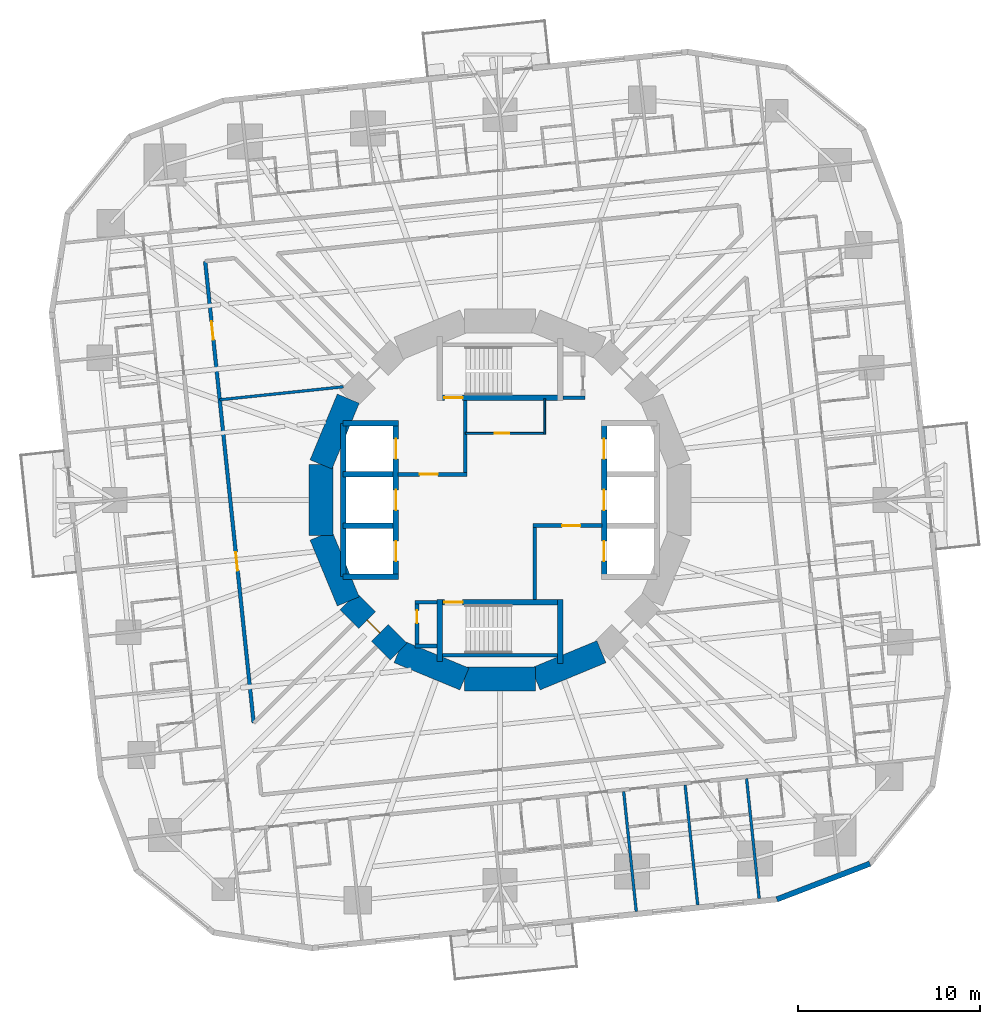
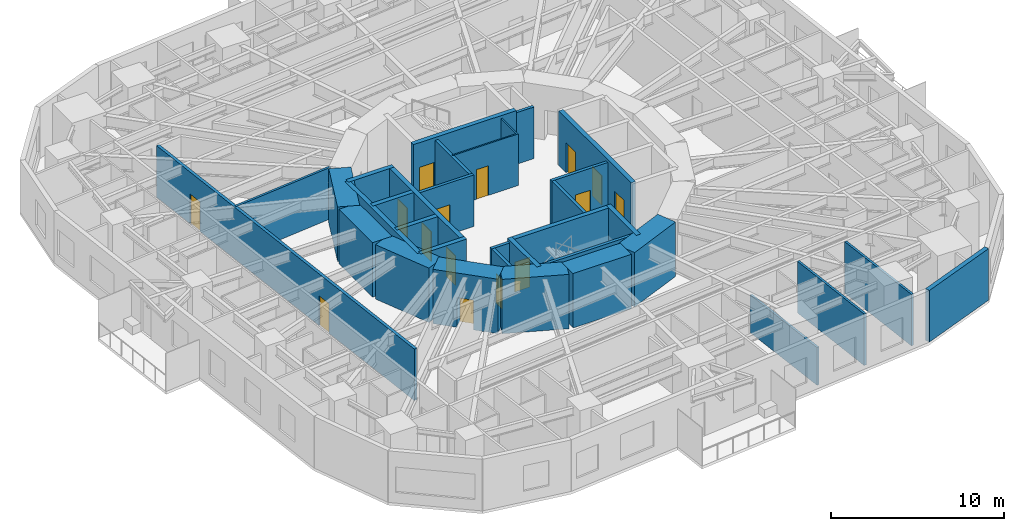
# One storey, part 7 of 15: 35 walls, 15 doors, 15 openings.
"""IFC4 building model written with IfcOpenShell, lengths in metres."""

import ifcopenshell
import ifcopenshell.guid

model = None  # the IFC model being written
_history = None  # IfcOwnerHistory: only IFC2X3 demands one
_inside = {}  # id of a spatial element -> (the spatial element, [elements in it])
_under = {}  # id of a project, library or spatial element -> (it, [spatial elements below it])
_declared = {}  # id of a project -> (the project, [libraries it declares])
_typed = {}  # id of a type object -> (the type object, [elements of that type])
_made_of = {}  # id of a material, layer set ... -> (it, [elements and type objects made of it])


def new_model(schema):
    """Start an empty IFC model of exactly this schema.

    Asked for "IFC4X3", IfcOpenShell would pick the latest addendum, in which some entities
    have other attributes; the version numbers below select the first issue.
    IFC2X3 requires an IfcOwnerHistory on every rooted entity: one is made here for all.
    """
    global model, _history
    if schema == "IFC4X3":
        model = ifcopenshell.file(schema_version=(4, 3, 0, 0))
    else:
        model = ifcopenshell.file(schema=schema)
    _inside.clear()
    _under.clear()
    _declared.clear()
    _typed.clear()
    _made_of.clear()
    _history = None
    if model.schema == "IFC2X3":
        org = make("IfcOrganization", Name="unknown")
        user = make(
            "IfcPersonAndOrganization",
            ThePerson=make("IfcPerson", FamilyName="unknown"),
            TheOrganization=org,
        )
        app = make(
            "IfcApplication",
            ApplicationDeveloper=org,
            Version="unknown",
            ApplicationFullName="unknown",
            ApplicationIdentifier="unknown",
        )
        _history = make(
            "IfcOwnerHistory",
            OwningUser=user,
            OwningApplication=app,
            ChangeAction="ADDED",
            CreationDate=0,
        )
    return model


def make(cls, **values):
    """One entity of the class cls with the attributes given. An attribute that is None is left unset."""
    return model.create_entity(
        cls, **{name: value for name, value in values.items() if value is not None}
    )


def rooted(cls, **values):
    """An entity with a GlobalId (a new one), such as an element, a storey or a relation."""
    return make(cls, GlobalId=ifcopenshell.guid.new(), OwnerHistory=_history, **values)


def si_unit(unit_type, name, prefix=None):
    """IfcSIUnit, for example si_unit("LENGTHUNIT", "METRE", prefix="MILLI")."""
    return make("IfcSIUnit", UnitType=unit_type, Prefix=prefix, Name=name)


def assignment(units):
    """IfcUnitAssignment: the units of a project."""
    return None if units is None else make("IfcUnitAssignment", Units=units)


def point(xyz):
    """IfcCartesianPoint."""
    return None if xyz is None else make("IfcCartesianPoint", Coordinates=xyz)


def direction(xyz):
    """IfcDirection."""
    return None if xyz is None else make("IfcDirection", DirectionRatios=xyz)


def frame(location, z_axis=None, x_axis=None):
    """IfcAxis2Placement3D, a coordinate frame: its origin and axes. An axis left out is left unset."""
    return make(
        "IfcAxis2Placement3D",
        Location=point(location),
        Axis=direction(z_axis),
        RefDirection=direction(x_axis),
    )


def frame_2d(location, x_axis=None):
    """IfcAxis2Placement2D, a coordinate frame in the plane: its origin and x axis."""
    return make(
        "IfcAxis2Placement2D", Location=point(location), RefDirection=direction(x_axis)
    )


def origin():
    """The frame at (0, 0, 0) with its axes left unset."""
    return frame((0.0, 0.0, 0.0))


def place(relative_to, where):
    """IfcLocalPlacement: puts the frame where relative to a parent placement (None: the world)."""
    return make(
        "IfcLocalPlacement", PlacementRelTo=relative_to, RelativePlacement=where
    )


def context(
    kind, dimensions, precision=None, world=None, true_north=None, identifier=None
):
    """IfcGeometricRepresentationContext, for example the 3D "Model" context."""
    return make(
        "IfcGeometricRepresentationContext",
        ContextIdentifier=identifier,
        ContextType=kind,
        CoordinateSpaceDimension=dimensions,
        Precision=precision,
        WorldCoordinateSystem=world,
        TrueNorth=true_north,
    )


def subcontext(parent, identifier, kind, view, scale=None):
    """IfcGeometricRepresentationSubContext, for example "Body" below "Model"."""
    return make(
        "IfcGeometricRepresentationSubContext",
        ContextIdentifier=identifier,
        ContextType=kind,
        ParentContext=parent,
        TargetScale=scale,
        TargetView=view,
    )


def project(units=None, contexts=None):
    """IfcProject with its units and contexts."""
    return rooted(
        "IfcProject",
        Name="project",
        RepresentationContexts=contexts,
        UnitsInContext=assignment(units),
    )


def spatial(cls, under=None, at=None, **own):
    """A site, building, storey or space (cls), placed at a placement, below another one or the project."""
    s = rooted(cls, ObjectPlacement=at, **own)
    if under is not None:
        _under.setdefault(under.id(), (under, []))[1].append(s)
    return s


def profile(cls, at=None, kind="AREA", **sizes):
    """A parametric profile (cls). Its sizes go by their IFC names, for example OverallWidth=200.0."""
    return make(cls, ProfileType=kind, Position=at, **sizes)


def rectangle(**sizes):
    """IfcRectangleProfileDef."""
    return profile("IfcRectangleProfileDef", **sizes)


def extrude(swept, where, along, depth):
    """IfcExtrudedAreaSolid: the profile swept, set in the frame where, extruded along a direction by depth."""
    return make(
        "IfcExtrudedAreaSolid",
        SweptArea=swept,
        Position=where,
        ExtrudedDirection=direction(along),
        Depth=depth,
    )


def shape(context_of_items, identifier, shape_type, items):
    """IfcShapeRepresentation: the items that make up one representation, for example the "Body"."""
    return make(
        "IfcShapeRepresentation",
        ContextOfItems=context_of_items,
        RepresentationIdentifier=identifier,
        RepresentationType=shape_type,
        Items=items,
    )


def material(Name=None, Category=None):
    """IfcMaterial."""
    return make("IfcMaterial", Name=Name, Category=Category)


def layer(
    of_material, thickness, ventilated=None, Name=None, Category=None, Priority=None
):
    """IfcMaterialLayer: one layer of a wall or slab, of a material (None: an air gap)."""
    return make(
        "IfcMaterialLayer",
        Material=of_material,
        LayerThickness=thickness,
        IsVentilated=ventilated,
        Name=Name,
        Category=Category,
        Priority=Priority,
    )


def layer_set(layers, Name=None):
    """IfcMaterialLayerSet."""
    return make("IfcMaterialLayerSet", MaterialLayers=layers, LayerSetName=Name)


def made_of(thing, what):
    """Note that an element or type object is made of a material, layer set ...; save() writes the relation."""
    if what is not None:
        _made_of.setdefault(what.id(), (what, []))[1].append(thing)
    return thing


def type_object(cls, material=None, **own):
    """A type object (cls), such as IfcWallType, which elements share."""
    return made_of(rooted(cls, **own), material)


def element(
    cls,
    number,
    at=None,
    inside=None,
    cuts=None,
    type_object=None,
    material=None,
    context=None,
    identifier="Body",
    shape_type=None,
    held_by="IfcProductDefinitionShape",
    body=None,
    shapes=None,
    **own,
):
    """One element of the class cls, such as IfcWall. Its Tag is "e" and its number.

    at: its placement. inside: the storey or other place that contains it. cuts: it is an
    opening in that element (IfcRelVoidsElement). A single representation is given by context,
    identifier, shape_type and body (its items); several are given by shapes. held_by: the class
    of the entity that holds the representations. save() writes the other relations.
    """
    e = rooted(cls, Tag="e%d" % number, ObjectPlacement=at, **own)
    if body is not None:
        shapes = [shape(context, identifier, shape_type, body)]
    if shapes is not None:
        e.Representation = make(held_by, Representations=shapes)
    if inside is not None:
        _inside.setdefault(inside.id(), (inside, []))[1].append(e)
    if cuts is not None:
        rooted(
            "IfcRelVoidsElement", RelatingBuildingElement=cuts, RelatedOpeningElement=e
        )
    if type_object is not None:
        _typed.setdefault(type_object.id(), (type_object, []))[1].append(e)
    return made_of(e, material)


def fill(opening, filler):
    """IfcRelFillsElement: the door or window that sits in an opening."""
    return rooted(
        "IfcRelFillsElement",
        RelatingOpeningElement=opening,
        RelatedBuildingElement=filler,
    )


def aggregate(whole, parts):
    """IfcRelAggregates: a whole, such as a stair, and the parts it consists of."""
    return rooted("IfcRelAggregates", RelatingObject=whole, RelatedObjects=parts)


def save(model, path):
    """Write the relations noted so far, then the file.

    IfcRelAggregates (storeys below a building ...), IfcRelContainedInSpatialStructure (elements
    in a storey), IfcRelDefinesByType, IfcRelAssociatesMaterial and IfcRelDeclares: one each for
    every whole, place, type object, material and project.
    """
    for whole, parts in _under.values():
        aggregate(whole, parts)
    for where, things in _inside.values():
        rooted(
            "IfcRelContainedInSpatialStructure",
            RelatedElements=things,
            RelatingStructure=where,
        )
    for kind, things in _typed.values():
        rooted("IfcRelDefinesByType", RelatedObjects=things, RelatingType=kind)
    for what, things in _made_of.values():
        rooted("IfcRelAssociatesMaterial", RelatedObjects=things, RelatingMaterial=what)
    for by, libraries in _declared.values():
        rooted("IfcRelDeclares", RelatingContext=by, RelatedDefinitions=libraries)
    model.write(path)


model = new_model("IFC4")

# Units and contexts
model_context = context("Model", 3, precision=1e-05, world=origin(), true_north=direction((0.0, 1.0)))
body_context = subcontext(model_context, "Body", "Model", "MODEL_VIEW")
ifc_project = project(units=[si_unit("LENGTHUNIT", "METRE"), si_unit("AREAUNIT", "SQUARE_METRE"), si_unit("VOLUMEUNIT", "CUBIC_METRE"), si_unit("PLANEANGLEUNIT", "RADIAN"), si_unit("MASSUNIT", "GRAM", prefix="KILO")], contexts=[model_context])

# Site, building, storey
site_placement = place(None, origin())
site = spatial("IfcSite", under=ifc_project, at=site_placement, CompositionType="ELEMENT")
building_placement = place(site_placement, origin())
building = spatial("IfcBuilding", under=site, at=building_placement, Name="Nakasero Lantern House", CompositionType="ELEMENT")
storey_placement = place(building_placement, frame((0.0, 0.0, 68.199951171875)))
storey = spatial("IfcBuildingStorey", under=building, at=storey_placement, Name="L16", CompositionType="ELEMENT", Elevation=68.199951171875)

# Wall, openings, doors
ifc_material_1 = material(Name="Concrete C50/60", Category="concrete")
ifc_layer_1 = layer(ifc_material_1, 0.300048828125)
ifc_layer_set_1 = layer_set([ifc_layer_1], Name="Core inner wall 300")
wall_type_1 = type_object("IfcWallType", Name="Core inner wall 300", PredefinedType="SHEAR", material=ifc_layer_set_1)
wall_1_placement = place(storey_placement, frame((-5.699951171875, -4.199951171875, 0.0), z_axis=(0.0, 0.0, 1.0), x_axis=(0.0, 1.0, 0.0)))
wall_1 = element("IfcWall", 1, at=wall_1_placement, inside=storey, type_object=wall_type_1, Name="Core inner wall L16 LW", PredefinedType="SHEAR", context=body_context, shape_type="SweptSolid", body=[
    extrude(rectangle(XDim=8.39990234375, YDim=0.300048828125, at=frame_2d((4.199951171875, 0.0))), origin(), (0.0, 0.0, 1.0), 3.85009765625),
])
opening_1_placement = place(wall_1_placement, frame((0.85009765625, 0.0, 0.0)))
opening_1 = element("IfcOpeningElement", 2, at=opening_1_placement, cuts=wall_1, Name="Opening LD", PredefinedType="OPENING", context=body_context, shape_type="SweptSolid", body=[
    extrude(rectangle(XDim=1.10009765625, YDim=2.10009765625, at=frame_2d((0.550048828125, 1.050048828125))), frame((0.0, 0.169921875, 0.0), z_axis=(0.0, -1.0, 0.0), x_axis=(1.0, 0.0, 0.0)), (0.0, 0.0, 1.0), 0.340087890625),
])
opening_2_placement = place(wall_1_placement, frame((3.64990234375, 0.0, 0.0)))
opening_2 = element("IfcOpeningElement", 3, at=opening_2_placement, cuts=wall_1, Name="Opening LD", PredefinedType="OPENING", context=body_context, shape_type="SweptSolid", body=[
    extrude(rectangle(XDim=1.10009765625, YDim=2.10009765625, at=frame_2d((0.550048828125, 1.050048828125))), frame((0.0, 0.169921875, 0.0), z_axis=(0.0, -1.0, 0.0), x_axis=(1.0, 0.0, 0.0)), (0.0, 0.0, 1.0), 0.340087890625),
])
opening_3_placement = place(wall_1_placement, frame((6.449951171875, 0.0, 0.0)))
opening_3 = element("IfcOpeningElement", 4, at=opening_3_placement, cuts=wall_1, Name="Opening LD", PredefinedType="OPENING", context=body_context, shape_type="SweptSolid", body=[
    extrude(rectangle(XDim=1.10009765625, YDim=2.10009765625, at=frame_2d((0.550048828125, 1.050048828125))), frame((0.0, 0.169921875, 0.0), z_axis=(0.0, -1.0, 0.0), x_axis=(1.0, 0.0, 0.0)), (0.0, 0.0, 1.0), 0.340087890625),
])
ifc_material_2 = material(Name="Steel S355", Category="steel")
door_type_1 = type_object("IfcDoorType", Name="Lift landing door E120 1100", OperationType="SLIDING_TO_LEFT", PredefinedType="DOOR", material=ifc_material_2)
door_1_placement = place(opening_1_placement, origin())
door_1 = element("IfcDoor", 5, at=door_1_placement, inside=storey, type_object=door_type_1, Name="Lift landing door LW1", OperationType="SLIDING_TO_LEFT", OverallHeight=2.10009765625, OverallWidth=1.10009765625, PredefinedType="DOOR", context=body_context, shape_type="SweptSolid", body=[
    extrude(rectangle(XDim=1.10009765625, YDim=2.10009765625, at=frame_2d((0.550048828125, 1.050048828125))), frame((0.0, 0.02490234375, 0.0), z_axis=(0.0, -1.0, 0.0), x_axis=(1.0, 0.0, 0.0)), (0.0, 0.0, 1.0), 0.050048828125),
])
fill(opening_1, door_1)
door_2_placement = place(opening_2_placement, origin())
door_2 = element("IfcDoor", 6, at=door_2_placement, inside=storey, type_object=door_type_1, Name="Lift landing door LW2", OperationType="SLIDING_TO_LEFT", OverallHeight=2.10009765625, OverallWidth=1.10009765625, PredefinedType="DOOR", context=body_context, shape_type="SweptSolid", body=[
    extrude(rectangle(XDim=1.10009765625, YDim=2.10009765625, at=frame_2d((0.550048828125, 1.050048828125))), frame((0.0, 0.02490234375, 0.0), z_axis=(0.0, -1.0, 0.0), x_axis=(1.0, 0.0, 0.0)), (0.0, 0.0, 1.0), 0.050048828125),
])
fill(opening_2, door_2)
door_3_placement = place(opening_3_placement, origin())
door_3 = element("IfcDoor", 7, at=door_3_placement, inside=storey, type_object=door_type_1, Name="Lift landing door LW3", OperationType="SLIDING_TO_LEFT", OverallHeight=2.10009765625, OverallWidth=1.10009765625, PredefinedType="DOOR", context=body_context, shape_type="SweptSolid", body=[
    extrude(rectangle(XDim=1.10009765625, YDim=2.10009765625, at=frame_2d((0.550048828125, 1.050048828125))), frame((0.0, 0.02490234375, 0.0), z_axis=(0.0, -1.0, 0.0), x_axis=(1.0, 0.0, 0.0)), (0.0, 0.0, 1.0), 0.050048828125),
])
fill(opening_3, door_3)

wall_2_placement = place(storey_placement, frame((5.699951171875, -4.199951171875, 0.0), z_axis=(0.0, 0.0, 1.0), x_axis=(0.0, 1.0, 0.0)))
wall_2 = element("IfcWall", 8, at=wall_2_placement, inside=storey, type_object=wall_type_1, Name="Core inner wall L16 LE", PredefinedType="SHEAR", context=body_context, shape_type="SweptSolid", body=[
    extrude(rectangle(XDim=8.39990234375, YDim=0.300048828125, at=frame_2d((4.199951171875, 0.0))), origin(), (0.0, 0.0, 1.0), 3.85009765625),
])
opening_4_placement = place(wall_2_placement, frame((0.85009765625, 0.0, 0.0)))
opening_4 = element("IfcOpeningElement", 9, at=opening_4_placement, cuts=wall_2, Name="Opening LD", PredefinedType="OPENING", context=body_context, shape_type="SweptSolid", body=[
    extrude(rectangle(XDim=1.10009765625, YDim=2.10009765625, at=frame_2d((0.550048828125, 1.050048828125))), frame((0.0, 0.169921875, 0.0), z_axis=(0.0, -1.0, 0.0), x_axis=(1.0, 0.0, 0.0)), (0.0, 0.0, 1.0), 0.340087890625),
])
opening_5_placement = place(wall_2_placement, frame((3.64990234375, 0.0, 0.0)))
opening_5 = element("IfcOpeningElement", 10, at=opening_5_placement, cuts=wall_2, Name="Opening LD", PredefinedType="OPENING", context=body_context, shape_type="SweptSolid", body=[
    extrude(rectangle(XDim=1.10009765625, YDim=2.10009765625, at=frame_2d((0.550048828125, 1.050048828125))), frame((0.0, 0.169921875, 0.0), z_axis=(0.0, -1.0, 0.0), x_axis=(1.0, 0.0, 0.0)), (0.0, 0.0, 1.0), 0.340087890625),
])
opening_6_placement = place(wall_2_placement, frame((6.449951171875, 0.0, 0.0)))
opening_6 = element("IfcOpeningElement", 11, at=opening_6_placement, cuts=wall_2, Name="Opening LD", PredefinedType="OPENING", context=body_context, shape_type="SweptSolid", body=[
    extrude(rectangle(XDim=1.10009765625, YDim=2.10009765625, at=frame_2d((0.550048828125, 1.050048828125))), frame((0.0, 0.169921875, 0.0), z_axis=(0.0, -1.0, 0.0), x_axis=(1.0, 0.0, 0.0)), (0.0, 0.0, 1.0), 0.340087890625),
])
door_4_placement = place(opening_4_placement, origin())
door_4 = element("IfcDoor", 12, at=door_4_placement, inside=storey, type_object=door_type_1, Name="Lift landing door LE1", OperationType="SLIDING_TO_LEFT", OverallHeight=2.10009765625, OverallWidth=1.10009765625, PredefinedType="DOOR", context=body_context, shape_type="SweptSolid", body=[
    extrude(rectangle(XDim=1.10009765625, YDim=2.10009765625, at=frame_2d((0.550048828125, 1.050048828125))), frame((0.0, 0.02490234375, 0.0), z_axis=(0.0, -1.0, 0.0), x_axis=(1.0, 0.0, 0.0)), (0.0, 0.0, 1.0), 0.050048828125),
])
fill(opening_4, door_4)
door_5_placement = place(opening_5_placement, origin())
door_5 = element("IfcDoor", 13, at=door_5_placement, inside=storey, type_object=door_type_1, Name="Lift landing door LE2", OperationType="SLIDING_TO_LEFT", OverallHeight=2.10009765625, OverallWidth=1.10009765625, PredefinedType="DOOR", context=body_context, shape_type="SweptSolid", body=[
    extrude(rectangle(XDim=1.10009765625, YDim=2.10009765625, at=frame_2d((0.550048828125, 1.050048828125))), frame((0.0, 0.02490234375, 0.0), z_axis=(0.0, -1.0, 0.0), x_axis=(1.0, 0.0, 0.0)), (0.0, 0.0, 1.0), 0.050048828125),
])
fill(opening_5, door_5)
door_6_placement = place(opening_6_placement, origin())
door_6 = element("IfcDoor", 14, at=door_6_placement, inside=storey, type_object=door_type_1, Name="Lift landing door LE3", OperationType="SLIDING_TO_LEFT", OverallHeight=2.10009765625, OverallWidth=1.10009765625, PredefinedType="DOOR", context=body_context, shape_type="SweptSolid", body=[
    extrude(rectangle(XDim=1.10009765625, YDim=2.10009765625, at=frame_2d((0.550048828125, 1.050048828125))), frame((0.0, 0.02490234375, 0.0), z_axis=(0.0, -1.0, 0.0), x_axis=(1.0, 0.0, 0.0)), (0.0, 0.0, 1.0), 0.050048828125),
])
fill(opening_6, door_6)

# Walls
for number, where, z_axis, x_axis, name in (
    (15, (-8.60009765625, 4.199951171875, 0.0), (0.0, 0.0, 1.0), (1.0, 0.0, 0.0), "Core inner wall L16 LWN"),
    (16, (-8.60009765625, -4.199951171875, 0.0), (0.0, 0.0, 1.0), (1.0, 0.0, 0.0), "Core inner wall L16 LWS"),
):
    element("IfcWall", number, at=place(storey_placement, frame(where, z_axis=z_axis, x_axis=x_axis)), inside=storey, type_object=wall_type_1, Name=name, PredefinedType="SHEAR", context=body_context, shape_type="SweptSolid", body=[
        extrude(rectangle(XDim=3.050048828125, YDim=0.300048828125, at=frame_2d((1.52490234375, 0.0))), origin(), (0.0, 0.0, 1.0), 3.85009765625),
    ])
wall_3_placement = place(storey_placement, frame((-8.60009765625, -4.199951171875, 0.0), z_axis=(0.0, 0.0, 1.0), x_axis=(0.0, 1.0, 0.0)))
element("IfcWall", 17, at=wall_3_placement, inside=storey, type_object=wall_type_1, Name="Core inner wall L16 LWB", PredefinedType="SHEAR", context=body_context, shape_type="SweptSolid", body=[
    extrude(rectangle(XDim=8.39990234375, YDim=0.300048828125, at=frame_2d((4.199951171875, 0.0))), origin(), (0.0, 0.0, 1.0), 3.85009765625),
])
for number, where, z_axis, x_axis, name in (
    (18, (-8.60009765625, -1.39990234375, 0.0), (0.0, 0.0, 1.0), (1.0, 0.0, 0.0), "Core inner wall L16 LW1"),
    (19, (-8.60009765625, 1.39990234375, 0.0), (0.0, 0.0, 1.0), (1.0, 0.0, 0.0), "Core inner wall L16 LW2"),
):
    element("IfcWall", number, at=place(storey_placement, frame(where, z_axis=z_axis, x_axis=x_axis)), inside=storey, type_object=wall_type_1, Name=name, PredefinedType="SHEAR", context=body_context, shape_type="SweptSolid", body=[
        extrude(rectangle(XDim=2.75, YDim=0.300048828125, at=frame_2d((1.375, 0.0))), origin(), (0.0, 0.0, 1.0), 3.85009765625),
    ])

# Wall, opening, door
wall_4_placement = place(storey_placement, frame((-3.449951171875, 5.60009765625, 0.0), z_axis=(0.0, 0.0, 1.0), x_axis=(1.0, 0.0, 0.0)))
wall_4 = element("IfcWall", 20, at=wall_4_placement, inside=storey, type_object=wall_type_1, Name="Core inner wall L16 SN", PredefinedType="SHEAR", context=body_context, shape_type="SweptSolid", body=[
    extrude(rectangle(XDim=6.89990234375, YDim=0.300048828125, at=frame_2d((3.449951171875, 0.0))), origin(), (0.0, 0.0, 1.0), 3.85009765625),
])
opening_7_placement = place(wall_4_placement, frame((0.39990234375, 0.0, 0.0)))
opening_7 = element("IfcOpeningElement", 21, at=opening_7_placement, cuts=wall_4, Name="Opening D05", PredefinedType="OPENING", context=body_context, shape_type="SweptSolid", body=[
    extrude(rectangle(XDim=1.0, YDim=2.10009765625, at=frame_2d((0.5, 1.050048828125))), frame((0.0, 0.169921875, 0.0), z_axis=(0.0, -1.0, 0.0), x_axis=(1.0, 0.0, 0.0)), (0.0, 0.0, 1.0), 0.340087890625),
])
ifc_material_3 = material(Name="Timber C24", Category="wood")
door_type_2 = type_object("IfcDoorType", Name="Core door FD60S 1000", OperationType="SINGLE_SWING_LEFT", PredefinedType="DOOR", material=ifc_material_3)
door_7_placement = place(opening_7_placement, origin())
door_7 = element("IfcDoor", 22, at=door_7_placement, inside=storey, type_object=door_type_2, Name="Door L16 D-ST1", OperationType="SINGLE_SWING_LEFT", OverallHeight=2.10009765625, OverallWidth=1.0, PredefinedType="DOOR", context=body_context, shape_type="SweptSolid", body=[
    extrude(rectangle(XDim=1.0, YDim=2.10009765625, at=frame_2d((0.5, 1.050048828125))), frame((0.0, 0.02490234375, 0.0), z_axis=(0.0, -1.0, 0.0), x_axis=(1.0, 0.0, 0.0)), (0.0, 0.0, 1.0), 0.050048828125),
])
fill(opening_7, door_7)

wall_5_placement = place(storey_placement, frame((-3.449951171875, -5.60009765625, 0.0), z_axis=(0.0, 0.0, 1.0), x_axis=(1.0, 0.0, 0.0)))
wall_5 = element("IfcWall", 23, at=wall_5_placement, inside=storey, type_object=wall_type_1, Name="Core inner wall L16 SS", PredefinedType="SHEAR", context=body_context, shape_type="SweptSolid", body=[
    extrude(rectangle(XDim=6.89990234375, YDim=0.300048828125, at=frame_2d((3.449951171875, 0.0))), origin(), (0.0, 0.0, 1.0), 3.85009765625),
])
opening_8_placement = place(wall_5_placement, frame((0.39990234375, 0.0, 0.0)))
opening_8 = element("IfcOpeningElement", 24, at=opening_8_placement, cuts=wall_5, Name="Opening D05", PredefinedType="OPENING", context=body_context, shape_type="SweptSolid", body=[
    extrude(rectangle(XDim=1.0, YDim=2.10009765625, at=frame_2d((0.5, 1.050048828125))), frame((0.0, 0.169921875, 0.0), z_axis=(0.0, -1.0, 0.0), x_axis=(1.0, 0.0, 0.0)), (0.0, 0.0, 1.0), 0.340087890625),
])
door_8_placement = place(opening_8_placement, origin())
door_8 = element("IfcDoor", 25, at=door_8_placement, inside=storey, type_object=door_type_2, Name="Door L16 D-ST2", OperationType="SINGLE_SWING_LEFT", OverallHeight=2.10009765625, OverallWidth=1.0, PredefinedType="DOOR", context=body_context, shape_type="SweptSolid", body=[
    extrude(rectangle(XDim=1.0, YDim=2.10009765625, at=frame_2d((0.5, 1.050048828125))), frame((0.0, 0.02490234375, 0.0), z_axis=(0.0, -1.0, 0.0), x_axis=(1.0, 0.0, 0.0)), (0.0, 0.0, 1.0), 0.050048828125),
])
fill(opening_8, door_8)

# Walls
wall_6_placement = place(storey_placement, frame((-3.300048828125, -5.449951171875, 0.0), z_axis=(0.0, 0.0, 1.0), x_axis=(0.0, -1.0, 0.0)))
element("IfcWall", 26, at=wall_6_placement, inside=storey, type_object=wall_type_1, Name="Core inner wall L16 SSW", PredefinedType="SHEAR", context=body_context, shape_type="SweptSolid", body=[
    extrude(rectangle(XDim=3.400146484375, YDim=0.300048828125, at=frame_2d((1.7001953125, 0.0))), origin(), (0.0, 0.0, 1.0), 3.85009765625),
])
wall_7_placement = place(storey_placement, frame((3.300048828125, -5.449951171875, 0.0), z_axis=(0.0, 0.0, 1.0), x_axis=(0.0, -1.0, 0.0)))
element("IfcWall", 27, at=wall_7_placement, inside=storey, type_object=wall_type_1, Name="Core inner wall L16 SSE", PredefinedType="SHEAR", context=body_context, shape_type="SweptSolid", body=[
    extrude(rectangle(XDim=3.5, YDim=0.300048828125, at=frame_2d((1.75, 0.0))), origin(), (0.0, 0.0, 1.0), 3.85009765625),
])

# Wall, opening, door
ifc_material_4 = material(Name="Blockwork", Category="masonry")
ifc_layer_2 = layer(ifc_material_4, 0.10009765625)
ifc_layer_set_2 = layer_set([ifc_layer_2], Name="Core room wall 100")
wall_type_2 = type_object("IfcWallType", Name="Core room wall 100", PredefinedType="PARTITIONING", material=ifc_layer_set_2)
wall_8_placement = place(storey_placement, frame((-1.89990234375, 3.64990234375, 0.0), z_axis=(0.0, 0.0, 1.0), x_axis=(1.0, 0.0, 0.0)))
wall_8 = element("IfcWall", 28, at=wall_8_placement, inside=storey, type_object=wall_type_2, Name="Core room wall L16 CR-NES", PredefinedType="PARTITIONING", context=body_context, shape_type="SweptSolid", body=[
    extrude(rectangle(XDim=4.39990234375, YDim=0.10009765625, at=frame_2d((2.199951171875, 0.0))), origin(), (0.0, 0.0, 1.0), 3.650146484375),
])
opening_9_placement = place(wall_8_placement, frame((1.60009765625, 0.0, 0.0)))
opening_9 = element("IfcOpeningElement", 29, at=opening_9_placement, cuts=wall_8, Name="Opening D15", PredefinedType="OPENING", context=body_context, shape_type="SweptSolid", body=[
    extrude(rectangle(XDim=0.800048828125, YDim=2.10009765625, at=frame_2d((0.39990234375, 1.050048828125))), frame((0.0, 0.070068359375, 0.0), z_axis=(0.0, -1.0, 0.0), x_axis=(1.0, 0.0, 0.0)), (0.0, 0.0, 1.0), 0.14013671875),
])
ifc_material_5 = material(Name="Timber C24", Category="wood")
door_type_3 = type_object("IfcDoorType", Name="Cleaner's store door FD30S 800", OperationType="SINGLE_SWING_LEFT", PredefinedType="DOOR", material=ifc_material_5)
door_9_placement = place(opening_9_placement, origin())
door_9 = element("IfcDoor", 30, at=door_9_placement, inside=storey, type_object=door_type_3, Name="Door L16 D-CR-NE", OperationType="SINGLE_SWING_LEFT", OverallHeight=2.10009765625, OverallWidth=0.800048828125, PredefinedType="DOOR", context=body_context, shape_type="SweptSolid", body=[
    extrude(rectangle(XDim=0.800048828125, YDim=2.10009765625, at=frame_2d((0.39990234375, 1.050048828125))), frame((0.0, 0.02490234375, 0.0), z_axis=(0.0, -1.0, 0.0), x_axis=(1.0, 0.0, 0.0)), (0.0, 0.0, 1.0), 0.050048828125),
])
fill(opening_9, door_9)

# Walls
wall_9_placement = place(storey_placement, frame((2.449951171875, 3.60009765625, 0.0), z_axis=(0.0, 0.0, 1.0), x_axis=(0.0, 1.0, 0.0)))
element("IfcWall", 31, at=wall_9_placement, inside=storey, type_object=wall_type_2, Name="Core room wall L16 CR-NEE", PredefinedType="PARTITIONING", context=body_context, shape_type="SweptSolid", body=[
    extrude(rectangle(XDim=1.949951171875, YDim=0.10009765625, at=frame_2d((0.97509765625, 0.0))), origin(), (0.0, 0.0, 1.0), 3.650146484375),
])
ifc_material_6 = material(Name="Concrete C50/60", Category="concrete")
ifc_layer_3 = layer(ifc_material_6, 1.300048828125)
ifc_layer_set_3 = layer_set([ifc_layer_3], Name="Core wall 1300")
wall_type_3 = type_object("IfcWallType", Name="Core wall 1300", PredefinedType="SHEAR", material=ifc_layer_set_3)
for number, where, z_axis, x_axis, name in (
    (32, (-8.314697265625, 5.5556640625, 0.0), (0.0, 0.0, 1.0), (-0.382690736062, -0.923876507187, 0.0), "Core wall L16 facet 7"),
    (33, (-9.807861328125, 1.950927734375, 0.0), (0.0, 0.0, 1.0), (0.0, -1.0, 0.0), "Core wall L16 facet 8"),
    (34, (-9.807861328125, -1.950927734375, 0.0), (0.0, 0.0, 1.0), (0.382690736062, -0.923876507187, 0.0), "Core wall L16 facet 9"),
):
    element("IfcWall", number, at=place(storey_placement, frame(where, z_axis=z_axis, x_axis=x_axis)), inside=storey, type_object=wall_type_3, Name=name, PredefinedType="SHEAR", context=body_context, shape_type="SweptSolid", body=[
        extrude(rectangle(XDim=3.90185546875, YDim=1.300048828125, at=frame_2d((1.950927734375, 0.0))), origin(), (0.0, 0.0, 1.0), 3.85009765625),
    ])

# Wall, opening, door
wall_10_placement = place(storey_placement, frame((-8.314697265625, -5.5556640625, 0.0), z_axis=(0.0, 0.0, 1.0), x_axis=(0.707106781187, -0.707106781187, 0.0)))
wall_10 = element("IfcWall", 35, at=wall_10_placement, inside=storey, type_object=wall_type_3, Name="Core wall L16 facet 10", PredefinedType="SHEAR", context=body_context, shape_type="SweptSolid", body=[
    extrude(rectangle(XDim=3.90185546875, YDim=1.300048828125, at=frame_2d((1.950927734375, 0.0))), origin(), (0.0, 0.0, 1.0), 3.85009765625),
])
opening_10_placement = place(wall_10_placement, frame((1.450927734375, 0.0, 0.0)))
opening_10 = element("IfcOpeningElement", 36, at=opening_10_placement, cuts=wall_10, Name="Opening D05", PredefinedType="OPENING", context=body_context, shape_type="SweptSolid", body=[
    extrude(rectangle(XDim=1.0, YDim=2.10009765625, at=frame_2d((0.5, 1.050048828125))), frame((0.0, 0.669921875, 0.0), z_axis=(0.0, -1.0, 0.0), x_axis=(1.0, 0.0, 0.0)), (0.0, 0.0, 1.0), 1.340087890625),
])
door_10_placement = place(opening_10_placement, origin())
door_10 = element("IfcDoor", 37, at=door_10_placement, inside=storey, type_object=door_type_2, Name="Door L16 D-CORE10", OperationType="SINGLE_SWING_LEFT", OverallHeight=2.10009765625, OverallWidth=1.0, PredefinedType="DOOR", context=body_context, shape_type="SweptSolid", body=[
    extrude(rectangle(XDim=1.0, YDim=2.10009765625, at=frame_2d((0.5, 1.050048828125))), frame((0.0, 0.02490234375, 0.0), z_axis=(0.0, -1.0, 0.0), x_axis=(1.0, 0.0, 0.0)), (0.0, 0.0, 1.0), 0.050048828125),
])
fill(opening_10, door_10)

# Walls
for number, where, z_axis, x_axis, name in (
    (38, (-5.5556640625, -8.314697265625, 0.0), (0.0, 0.0, 1.0), (0.923876507187, -0.382690736062, 0.0), "Core wall L16 facet 11"),
    (39, (-1.950927734375, -9.807861328125, 0.0), (0.0, 0.0, 1.0), (1.0, 0.0, 0.0), "Core wall L16 facet 12"),
    (40, (1.950927734375, -9.807861328125, 0.0), (0.0, 0.0, 1.0), (0.923876507187, 0.382690736062, 0.0), "Core wall L16 facet 13"),
):
    element("IfcWall", number, at=place(storey_placement, frame(where, z_axis=z_axis, x_axis=x_axis)), inside=storey, type_object=wall_type_3, Name=name, PredefinedType="SHEAR", context=body_context, shape_type="SweptSolid", body=[
        extrude(rectangle(XDim=3.90185546875, YDim=1.300048828125, at=frame_2d((1.950927734375, 0.0))), origin(), (0.0, 0.0, 1.0), 3.85009765625),
    ])

# Wall, openings, doors
ifc_material_7 = material(Name="Blockwork", Category="masonry")
ifc_layer_4 = layer(ifc_material_7, 0.199951171875)
ifc_layer_set_4 = layer_set([ifc_layer_4], Name="Corridor wall 200")
wall_type_4 = type_object("IfcWallType", Name="Corridor wall 200", PredefinedType="PARTITIONING", material=ifc_layer_set_4)
wall_11_placement = place(storey_placement, frame((-16.156005859375, 13.0830078125, 0.0), z_axis=(0.0, 0.0, 1.0), x_axis=(0.104522963916, -0.994522473358, 0.0)))
wall_11 = element("IfcWall", 41, at=wall_11_placement, inside=storey, type_object=wall_type_4, Name="Corridor wall L16 IW2-0", PredefinedType="PARTITIONING", context=body_context, shape_type="SweptSolid", body=[
    extrude(rectangle(XDim=25.44580078125, YDim=0.199951171875, at=frame_2d((12.722900390625, 0.0))), origin(), (0.0, 0.0, 1.0), 3.650146484375),
])
opening_11_placement = place(wall_11_placement, frame((3.31689453125, 0.0, 0.0)))
opening_11 = element("IfcOpeningElement", 42, at=opening_11_placement, cuts=wall_11, Name="Opening D07", PredefinedType="OPENING", context=body_context, shape_type="SweptSolid", body=[
    extrude(rectangle(XDim=1.0, YDim=2.10009765625, at=frame_2d((0.5, 1.050048828125))), frame((0.0, 0.119873046875, 0.0), z_axis=(0.0, -1.0, 0.0), x_axis=(1.0, 0.0, 0.0)), (0.0, 0.0, 1.0), 0.239990234375),
])
opening_12_placement = place(wall_11_placement, frame((16.039794921875, 0.0, 0.0)))
opening_12 = element("IfcOpeningElement", 43, at=opening_12_placement, cuts=wall_11, Name="Opening D07", PredefinedType="OPENING", context=body_context, shape_type="SweptSolid", body=[
    extrude(rectangle(XDim=1.0, YDim=2.10009765625, at=frame_2d((0.5, 1.050048828125))), frame((0.0, 0.119873046875, 0.0), z_axis=(0.0, -1.0, 0.0), x_axis=(1.0, 0.0, 0.0)), (0.0, 0.0, 1.0), 0.239990234375),
])
ifc_material_8 = material(Name="Timber C24", Category="wood")
door_type_4 = type_object("IfcDoorType", Name="Room door FD30S 1000", OperationType="SINGLE_SWING_LEFT", PredefinedType="DOOR", material=ifc_material_8)
door_11_placement = place(opening_11_placement, origin())
door_11 = element("IfcDoor", 44, at=door_11_placement, inside=storey, type_object=door_type_4, Name="Door L16 DI4", OperationType="SINGLE_SWING_LEFT", OverallHeight=2.10009765625, OverallWidth=1.0, PredefinedType="DOOR", context=body_context, shape_type="SweptSolid", body=[
    extrude(rectangle(XDim=1.0, YDim=2.10009765625, at=frame_2d((0.5, 1.050048828125))), frame((0.0, 0.02490234375, 0.0), z_axis=(0.0, -1.0, 0.0), x_axis=(1.0, 0.0, 0.0)), (0.0, 0.0, 1.0), 0.050048828125),
])
fill(opening_11, door_11)
door_12_placement = place(opening_12_placement, origin())
door_12 = element("IfcDoor", 45, at=door_12_placement, inside=storey, type_object=door_type_4, Name="Door L16 DI4S", OperationType="SINGLE_SWING_RIGHT", OverallHeight=2.10009765625, OverallWidth=1.0, PredefinedType="DOOR", context=body_context, shape_type="SweptSolid", body=[
    extrude(rectangle(XDim=1.0, YDim=2.10009765625, at=frame_2d((0.5, 1.050048828125))), frame((0.0, 0.02490234375, 0.0), z_axis=(0.0, -1.0, 0.0), x_axis=(1.0, 0.0, 0.0)), (0.0, 0.0, 1.0), 0.050048828125),
])
fill(opening_12, door_12)

# Wall
ifc_material_9 = material(Name="Aluminium rainscreen on blockwork", Category="masonry")
ifc_layer_5 = layer(ifc_material_9, 0.300048828125)
ifc_layer_set_5 = layer_set([ifc_layer_5], Name="Facade wall 300")
wall_type_5 = type_object("IfcWallType", Name="Facade wall 300", PredefinedType="SOLIDWALL", material=ifc_layer_set_5)
wall_12_placement = place(storey_placement, frame((15.170654296875, -21.884033203125, 0.0), z_axis=(0.0, 0.0, 1.0), x_axis=(0.933583906079, 0.358358884793, 0.0)))
element("IfcWall", 46, at=wall_12_placement, inside=storey, type_object=wall_type_5, Name="Facade wall L16 FW3C1", PredefinedType="SOLIDWALL", context=body_context, shape_type="SweptSolid", body=[
    extrude(rectangle(XDim=5.461181640625, YDim=0.300048828125, at=frame_2d((2.73046875, 0.0))), origin(), (0.0, 0.0, 1.0), 3.650146484375),
])

# Wall, opening, door
ifc_material_10 = material(Name="Blockwork", Category="masonry")
ifc_layer_6 = layer(ifc_material_10, 0.199951171875)
ifc_layer_set_6 = layer_set([ifc_layer_6], Name="Fire lobby wall 200")
wall_type_6 = type_object("IfcWallType", Name="Fire lobby wall 200", PredefinedType="PARTITIONING", material=ifc_layer_set_6)
wall_13_placement = place(storey_placement, frame((-5.60009765625, 1.39990234375, 0.0), z_axis=(0.0, 0.0, 1.0), x_axis=(1.0, 0.0, 0.0)))
wall_13 = element("IfcWall", 47, at=wall_13_placement, inside=storey, type_object=wall_type_6, Name="Fire lobby wall L16 W-FL1S", PredefinedType="PARTITIONING", context=body_context, shape_type="SweptSolid", body=[
    extrude(rectangle(XDim=3.800048828125, YDim=0.199951171875, at=frame_2d((1.89990234375, 0.0))), origin(), (0.0, 0.0, 1.0), 3.650146484375),
])
opening_13_placement = place(wall_13_placement, frame((1.199951171875, 0.0, 0.0)))
opening_13 = element("IfcOpeningElement", 48, at=opening_13_placement, cuts=wall_13, Name="Opening D05", PredefinedType="OPENING", context=body_context, shape_type="SweptSolid", body=[
    extrude(rectangle(XDim=1.0, YDim=2.10009765625, at=frame_2d((0.5, 1.050048828125))), frame((0.0, 0.119873046875, 0.0), z_axis=(0.0, -1.0, 0.0), x_axis=(1.0, 0.0, 0.0)), (0.0, 0.0, 1.0), 0.239990234375),
])
door_13_placement = place(opening_13_placement, origin())
door_13 = element("IfcDoor", 49, at=door_13_placement, inside=storey, type_object=door_type_2, Name="Door L16 D-FL1", OperationType="SINGLE_SWING_LEFT", OverallHeight=2.10009765625, OverallWidth=1.0, PredefinedType="DOOR", context=body_context, shape_type="SweptSolid", body=[
    extrude(rectangle(XDim=1.0, YDim=2.10009765625, at=frame_2d((0.5, 1.050048828125))), frame((0.0, 0.02490234375, 0.0), z_axis=(0.0, -1.0, 0.0), x_axis=(1.0, 0.0, 0.0)), (0.0, 0.0, 1.0), 0.050048828125),
])
fill(opening_13, door_13)

# Wall
wall_14_placement = place(storey_placement, frame((-1.89990234375, 1.5, 0.0), z_axis=(0.0, 0.0, 1.0), x_axis=(0.0, 1.0, 0.0)))
element("IfcWall", 50, at=wall_14_placement, inside=storey, type_object=wall_type_6, Name="Fire lobby wall L16 W-FL1E", PredefinedType="PARTITIONING", context=body_context, shape_type="SweptSolid", body=[
    extrude(rectangle(XDim=3.949951171875, YDim=0.199951171875, at=frame_2d((1.97509765625, 0.0))), origin(), (0.0, 0.0, 1.0), 3.650146484375),
])

# Wall, opening, door
wall_15_placement = place(storey_placement, frame((5.60009765625, -1.39990234375, 0.0), z_axis=(0.0, 0.0, 1.0), x_axis=(-1.0, 0.0, 0.0)))
wall_15 = element("IfcWall", 51, at=wall_15_placement, inside=storey, type_object=wall_type_6, Name="Fire lobby wall L16 W-FL2N", PredefinedType="PARTITIONING", context=body_context, shape_type="SweptSolid", body=[
    extrude(rectangle(XDim=3.800048828125, YDim=0.199951171875, at=frame_2d((1.89990234375, 0.0))), origin(), (0.0, 0.0, 1.0), 3.650146484375),
])
opening_14_placement = place(wall_15_placement, frame((1.199951171875, 0.0, 0.0)))
opening_14 = element("IfcOpeningElement", 52, at=opening_14_placement, cuts=wall_15, Name="Opening D05", PredefinedType="OPENING", context=body_context, shape_type="SweptSolid", body=[
    extrude(rectangle(XDim=1.0, YDim=2.10009765625, at=frame_2d((0.5, 1.050048828125))), frame((0.0, 0.119873046875, 0.0), z_axis=(0.0, -1.0, 0.0), x_axis=(1.0, 0.0, 0.0)), (0.0, 0.0, 1.0), 0.239990234375),
])
door_14_placement = place(opening_14_placement, origin())
door_14 = element("IfcDoor", 53, at=door_14_placement, inside=storey, type_object=door_type_2, Name="Door L16 D-FL2", OperationType="SINGLE_SWING_LEFT", OverallHeight=2.10009765625, OverallWidth=1.0, PredefinedType="DOOR", context=body_context, shape_type="SweptSolid", body=[
    extrude(rectangle(XDim=1.0, YDim=2.10009765625, at=frame_2d((0.5, 1.050048828125))), frame((0.0, 0.02490234375, 0.0), z_axis=(0.0, -1.0, 0.0), x_axis=(1.0, 0.0, 0.0)), (0.0, 0.0, 1.0), 0.050048828125),
])
fill(opening_14, door_14)

# Walls
wall_16_placement = place(storey_placement, frame((1.89990234375, -1.5, 0.0), z_axis=(0.0, 0.0, 1.0), x_axis=(0.0, -1.0, 0.0)))
element("IfcWall", 54, at=wall_16_placement, inside=storey, type_object=wall_type_6, Name="Fire lobby wall L16 W-FL2W", PredefinedType="PARTITIONING", context=body_context, shape_type="SweptSolid", body=[
    extrude(rectangle(XDim=3.949951171875, YDim=0.199951171875, at=frame_2d((1.97509765625, 0.0))), origin(), (0.0, 0.0, 1.0), 3.650146484375),
])
wall_17_placement = place(storey_placement, frame((3.449951171875, 5.60009765625, 0.0), z_axis=(0.0, 0.0, 1.0), x_axis=(1.0, 0.0, 0.0)))
element("IfcWall", 55, at=wall_17_placement, inside=storey, type_object=wall_type_6, Name="Fire lobby wall L16 W-RS1S", PredefinedType="PARTITIONING", context=body_context, shape_type="SweptSolid", body=[
    extrude(rectangle(XDim=1.199951171875, YDim=0.199951171875, at=frame_2d((0.60009765625, 0.0))), origin(), (0.0, 0.0, 1.0), 3.650146484375),
])

# Wall, opening, door
wall_18_placement = place(storey_placement, frame((-4.550048828125, -5.60009765625, 0.0), z_axis=(0.0, 0.0, 1.0), x_axis=(0.0, -1.0, 0.0)))
wall_18 = element("IfcWall", 56, at=wall_18_placement, inside=storey, type_object=wall_type_6, Name="Fire lobby wall L16 W-RS2W", PredefinedType="PARTITIONING", context=body_context, shape_type="SweptSolid", body=[
    extrude(rectangle(XDim=2.39990234375, YDim=0.199951171875, at=frame_2d((1.199951171875, 0.0))), origin(), (0.0, 0.0, 1.0), 3.650146484375),
])
opening_15_placement = place(wall_18_placement, frame((0.449951171875, 0.0, 0.0)))
opening_15 = element("IfcOpeningElement", 57, at=opening_15_placement, cuts=wall_18, Name="Opening D06", PredefinedType="OPENING", context=body_context, shape_type="SweptSolid", body=[
    extrude(rectangle(XDim=0.699951171875, YDim=2.10009765625, at=frame_2d((0.35009765625, 1.050048828125))), frame((0.0, 0.119873046875, 0.0), z_axis=(0.0, -1.0, 0.0), x_axis=(1.0, 0.0, 0.0)), (0.0, 0.0, 1.0), 0.239990234375),
])
ifc_material_11 = material(Name="Steel S355", Category="steel")
door_type_5 = type_object("IfcDoorType", Name="Riser door FD60 700", OperationType="SINGLE_SWING_LEFT", PredefinedType="DOOR", material=ifc_material_11)
door_15_placement = place(opening_15_placement, origin())
door_15 = element("IfcDoor", 58, at=door_15_placement, inside=storey, type_object=door_type_5, Name="Door L16 D-RS2", OperationType="SINGLE_SWING_LEFT", OverallHeight=2.10009765625, OverallWidth=0.699951171875, PredefinedType="DOOR", context=body_context, shape_type="SweptSolid", body=[
    extrude(rectangle(XDim=0.699951171875, YDim=2.10009765625, at=frame_2d((0.35009765625, 1.050048828125))), frame((0.0, 0.02490234375, 0.0), z_axis=(0.0, -1.0, 0.0), x_axis=(1.0, 0.0, 0.0)), (0.0, 0.0, 1.0), 0.050048828125),
])
fill(opening_15, door_15)

# Walls
for number, where, z_axis, x_axis, name in (
    (59, (-3.449951171875, -8.0, 0.0), (0.0, 0.0, 1.0), (-1.0, 0.0, 0.0), "Fire lobby wall L16 W-RS2S"),
    (60, (-3.449951171875, -5.60009765625, 0.0), (0.0, 0.0, 1.0), (-1.0, 0.0, 0.0), "Fire lobby wall L16 W-RS2N"),
):
    element("IfcWall", number, at=place(storey_placement, frame(where, z_axis=z_axis, x_axis=x_axis)), inside=storey, type_object=wall_type_6, Name=name, PredefinedType="PARTITIONING", context=body_context, shape_type="SweptSolid", body=[
        extrude(rectangle(XDim=1.199951171875, YDim=0.199951171875, at=frame_2d((0.60009765625, 0.0))), origin(), (0.0, 0.0, 1.0), 3.650146484375),
    ])
wall_19_placement = place(storey_placement, frame((-3.300048828125, -8.5, 0.0), z_axis=(0.0, 0.0, 1.0), x_axis=(1.0, 0.0, 0.0)))
element("IfcWall", 61, at=wall_19_placement, inside=storey, type_object=wall_type_6, Name="Fire lobby wall L16 W-STS", PredefinedType="PARTITIONING", context=body_context, shape_type="SweptSolid", body=[
    extrude(rectangle(XDim=6.60009765625, YDim=0.199951171875, at=frame_2d((3.300048828125, 0.0))), origin(), (0.0, 0.0, 1.0), 3.650146484375),
])
ifc_material_12 = material(Name="Blockwork", Category="masonry")
ifc_layer_7 = layer(ifc_material_12, 0.14990234375)
ifc_layer_set_7 = layer_set([ifc_layer_7], Name="Party wall 150")
wall_type_7 = type_object("IfcWallType", Name="Party wall 150", PredefinedType="PARTITIONING", material=ifc_layer_set_7)
wall_20_placement = place(storey_placement, frame((6.77734375, -15.97900390625, 0.0), z_axis=(0.0, 0.0, 1.0), x_axis=(0.104534592565, -0.994521251134, 0.0)))
element("IfcWall", 62, at=wall_20_placement, inside=storey, type_object=wall_type_7, Name="Party wall L16 PW3-06", PredefinedType="PARTITIONING", context=body_context, shape_type="SweptSolid", body=[
    extrude(rectangle(XDim=6.60009765625, YDim=0.14990234375, at=frame_2d((3.300048828125, 0.0))), origin(), (0.0, 0.0, 1.0), 2.669921875),
])
wall_21_placement = place(storey_placement, frame((10.14453125, -15.625244140625, 0.0), z_axis=(0.0, 0.0, 1.0), x_axis=(0.104501850668, -0.994524692105, 0.0)))
element("IfcWall", 63, at=wall_21_placement, inside=storey, type_object=wall_type_7, Name="Party wall L16 PW3-07", PredefinedType="PARTITIONING", context=body_context, shape_type="SweptSolid", body=[
    extrude(rectangle(XDim=6.599853515625, YDim=0.14990234375, at=frame_2d((3.2998046875, 0.0))), origin(), (0.0, 0.0, 1.0), 3.650146484375),
])
wall_22_placement = place(storey_placement, frame((13.511474609375, -15.271240234375, 0.0), z_axis=(0.0, 0.0, 1.0), x_axis=(0.104534592565, -0.994521251134, 0.0)))
element("IfcWall", 64, at=wall_22_placement, inside=storey, type_object=wall_type_7, Name="Party wall L16 PW3-08", PredefinedType="PARTITIONING", context=body_context, shape_type="SweptSolid", body=[
    extrude(rectangle(XDim=6.60009765625, YDim=0.14990234375, at=frame_2d((3.300048828125, 0.0))), origin(), (0.0, 0.0, 1.0), 3.650146484375),
])
wall_23_placement = place(storey_placement, frame((-8.5869140625, 6.20263671875, 0.0), z_axis=(0.0, 0.0, 1.0), x_axis=(-0.99452214126, -0.104526123734, 0.0)))
element("IfcWall", 65, at=wall_23_placement, inside=storey, type_object=wall_type_7, Name="Party wall L16 IS4", PredefinedType="PARTITIONING", context=body_context, shape_type="SweptSolid", body=[
    extrude(rectangle(XDim=6.80859375, YDim=0.14990234375, at=frame_2d((3.404296875, 0.0))), origin(), (0.0, 0.0, 1.0), 3.650146484375),
])

save(model, "model.ifc")
